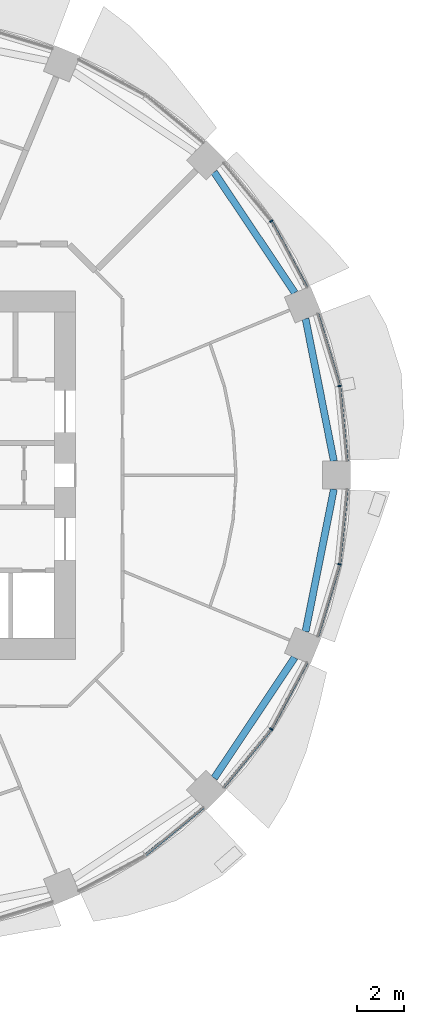
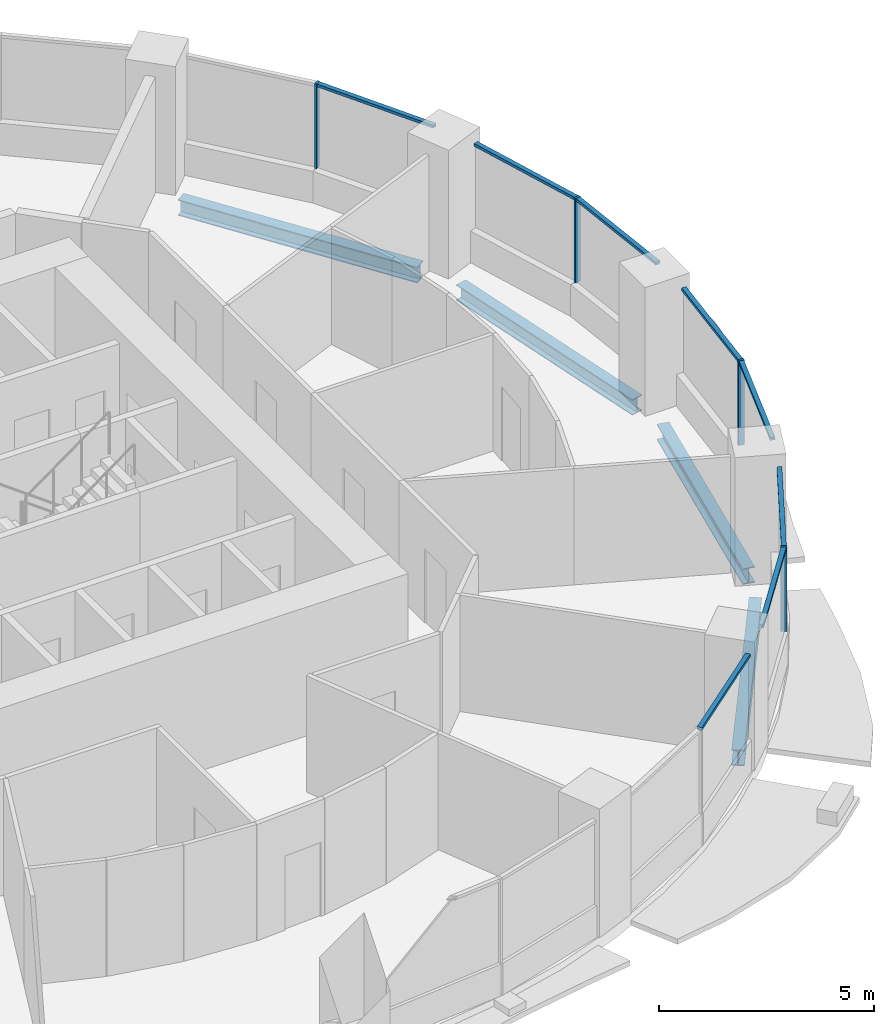
# One storey, part 5 of 15: 12 members, 4 beams, 5 elements without a shape of their own.
"""IFC4 building model written with IfcOpenShell, lengths in metres."""

from ifc_helpers import new_model, si_unit, direction, frame, origin, origin_2d, place, context, subcontext, project, spatial, rectangle, i_section, extrude, material, material_profile, profile_set, type_object, element, aggregate, save


model = new_model("IFC4")

# Units and contexts
model_context = context("Model", 3, precision=1e-05, world=origin(), true_north=direction((0.0, 1.0)))
body_context = subcontext(model_context, "Body", "Model", "MODEL_VIEW")
ifc_project = project(units=[si_unit("LENGTHUNIT", "METRE"), si_unit("AREAUNIT", "SQUARE_METRE"), si_unit("VOLUMEUNIT", "CUBIC_METRE"), si_unit("PLANEANGLEUNIT", "RADIAN"), si_unit("MASSUNIT", "GRAM", prefix="KILO")], contexts=[model_context])

# Site, building, storey
site_placement = place(None, origin())
site = spatial("IfcSite", under=ifc_project, at=site_placement, CompositionType="ELEMENT")
building_placement = place(site_placement, origin())
building = spatial("IfcBuilding", under=site, at=building_placement, Name="Polderwave Tower", CompositionType="ELEMENT")
storey_placement = place(building_placement, frame((0.0, 0.0, 55.39990234375)))
storey = spatial("IfcBuildingStorey", under=building, at=storey_placement, Name="L14", CompositionType="ELEMENT", Elevation=55.39990234375)

# Curtain wall, member
ifc_material_1 = material(Name="Aluminium 6063-T6 and glass", Category="aluminium")
curtain_wall_type = type_object("IfcCurtainWallType", Name="Growing floor ribbon glazing wall", PredefinedType="NOTDEFINED", material=ifc_material_1)
curtain_wall_1_placement = place(storey_placement, origin())
curtain_wall_1 = element("IfcCurtainWall", 1, at=curtain_wall_1_placement, inside=storey, type_object=curtain_wall_type, Name="CW2 L14 00", PredefinedType="NOTDEFINED")
ifc_material_2 = material(Name="Aluminium 6063-T6", Category="aluminium")
ifc_material_profile_1 = material_profile(ifc_material_2, rectangle(XDim=0.14990234375, YDim=0.06005859375, at=origin_2d()), Name="AL 60x150")
ifc_profile_set_1 = profile_set([ifc_material_profile_1], Name="Aluminium 6063-T6")
member_type_1 = type_object("IfcMemberType", Name="Growing floor ribbon glazing mullion 60x150", PredefinedType="MULLION", material=ifc_profile_set_1)
member_1_placement = place(storey_placement, frame((19.155029296875, 3.81005859375, 0.900146484375), z_axis=(0.0, 0.0, 1.0), x_axis=(-0.980773701784, -0.195148522643, 0.0)))
member_1 = element("IfcMember", 2, at=member_1_placement, type_object=member_type_1, Name="CW2 mullion 1", PredefinedType="MULLION", context=body_context, shape_type="SweptSolid", body=[
    extrude(rectangle(XDim=0.14990234375, YDim=0.06005859375, at=origin_2d()), origin(), (0.0, 0.0, 1.0), 2.39990234375),
])

curtain_wall_2_placement = place(storey_placement, origin())
curtain_wall_2 = element("IfcCurtainWall", 3, at=curtain_wall_2_placement, inside=storey, type_object=curtain_wall_type, Name="CW2 L14 01", PredefinedType="NOTDEFINED")
member_2_placement = place(storey_placement, frame((16.239013671875, 10.85009765625, 0.900146484375), z_axis=(0.0, 0.0, 1.0), x_axis=(-0.83146573367, -0.555576037759, 0.0)))
member_2 = element("IfcMember", 4, at=member_2_placement, type_object=member_type_1, Name="CW2 mullion 1", PredefinedType="MULLION", context=body_context, shape_type="SweptSolid", body=[
    extrude(rectangle(XDim=0.14990234375, YDim=0.06005859375, at=origin_2d()), origin(), (0.0, 0.0, 1.0), 2.39990234375),
])

curtain_wall_3_placement = place(storey_placement, origin())
curtain_wall_3 = element("IfcCurtainWall", 5, at=curtain_wall_3_placement, inside=storey, type_object=curtain_wall_type, Name="CW2 L14 14", PredefinedType="NOTDEFINED")
member_3_placement = place(storey_placement, frame((16.239013671875, -10.85009765625, 0.900146484375), z_axis=(0.0, 0.0, 1.0), x_axis=(-0.83146573367, 0.555576037759, 0.0)))
member_3 = element("IfcMember", 6, at=member_3_placement, type_object=member_type_1, Name="CW2 mullion 1", PredefinedType="MULLION", context=body_context, shape_type="SweptSolid", body=[
    extrude(rectangle(XDim=0.14990234375, YDim=0.06005859375, at=origin_2d()), origin(), (0.0, 0.0, 1.0), 2.39990234375),
])

curtain_wall_4_placement = place(storey_placement, origin())
curtain_wall_4 = element("IfcCurtainWall", 7, at=curtain_wall_4_placement, inside=storey, type_object=curtain_wall_type, Name="CW2 L14 15", PredefinedType="NOTDEFINED")
member_4_placement = place(storey_placement, frame((19.155029296875, -3.81005859375, 0.900146484375), z_axis=(0.0, 0.0, 1.0), x_axis=(-0.980773701784, 0.195148522643, 0.0)))
member_4 = element("IfcMember", 8, at=member_4_placement, type_object=member_type_1, Name="CW2 mullion 1", PredefinedType="MULLION", context=body_context, shape_type="SweptSolid", body=[
    extrude(rectangle(XDim=0.14990234375, YDim=0.06005859375, at=origin_2d()), origin(), (0.0, 0.0, 1.0), 2.39990234375),
])

# Member
ifc_material_profile_2 = material_profile(ifc_material_2, rectangle(XDim=0.1201171875, YDim=0.080078125, at=origin_2d()), Name="AL 80x120")
ifc_profile_set_2 = profile_set([ifc_material_profile_2], Name="Aluminium 6063-T6")
member_type_2 = type_object("IfcMemberType", Name="Growing floor ribbon glazing transom 80x120", PredefinedType="USERDEFINED", material=ifc_profile_set_2)
member_5_placement = place(storey_placement, frame((19.470947265625, 0.60009765625, 3.260009765625), z_axis=(-0.097952778777, 0.99519106363, 0.0), x_axis=(-0.99519106363, -0.097952778777, 0.0)))
member_5 = element("IfcMember", 9, at=member_5_placement, type_object=member_type_2, Name="CW2 transom 1", ObjectType="TRANSOM", PredefinedType="USERDEFINED", context=body_context, shape_type="SweptSolid", body=[
    extrude(rectangle(XDim=0.1201171875, YDim=0.080078125, at=origin_2d()), origin(), (0.0, 0.0, 1.0), 3.1953125),
])

member_6_placement = place(storey_placement, frame((19.146240234375, 3.838623046875, 3.260009765625), z_axis=(-0.290422902272, 0.95689839473, 0.0), x_axis=(-0.95689839473, -0.290422902272, 0.0)))
member_6 = element("IfcMember", 10, at=member_6_placement, type_object=member_type_2, Name="CW2 transom 2", ObjectType="TRANSOM", PredefinedType="USERDEFINED", context=body_context, shape_type="SweptSolid", body=[
    extrude(rectangle(XDim=0.1201171875, YDim=0.080078125, at=origin_2d()), origin(), (0.0, 0.0, 1.0), 3.196044921875),
])

aggregate(curtain_wall_1, [member_1, member_5, member_6])

member_7_placement = place(storey_placement, frame((17.759033203125, 8.006103515625, 3.260009765625), z_axis=(-0.471381370673, 0.881929477556, 0.0), x_axis=(-0.881929477556, -0.471381370673, 0.0)))
member_7 = element("IfcMember", 11, at=member_7_placement, type_object=member_type_2, Name="CW2 transom 1", ObjectType="TRANSOM", PredefinedType="USERDEFINED", context=body_context, shape_type="SweptSolid", body=[
    extrude(rectangle(XDim=0.1201171875, YDim=0.080078125, at=origin_2d()), origin(), (0.0, 0.0, 1.0), 3.194580078125),
])

aggregate(curtain_wall_2, [member_2, member_7])

# Curtain wall, member
curtain_wall_5_placement = place(storey_placement, origin())
curtain_wall_5 = element("IfcCurtainWall", 12, at=curtain_wall_5_placement, inside=storey, type_object=curtain_wall_type, Name="CW2 L14 13", PredefinedType="NOTDEFINED")
member_8_placement = place(storey_placement, frame((10.873291015625, -16.219970703125, 3.260009765625), z_axis=(0.772945627941, 0.63447226594, 0.0), x_axis=(-0.63447226594, 0.772945627941, 0.0)))
member_8 = element("IfcMember", 13, at=member_8_placement, type_object=member_type_2, Name="CW2 transom 2", ObjectType="TRANSOM", PredefinedType="USERDEFINED", context=body_context, shape_type="SweptSolid", body=[
    extrude(rectangle(XDim=0.1201171875, YDim=0.080078125, at=origin_2d()), origin(), (0.0, 0.0, 1.0), 3.196533203125),
])
aggregate(curtain_wall_5, [member_8])

# Member
member_9_placement = place(storey_placement, frame((14.19189453125, -13.343994140625, 3.260009765625), z_axis=(0.63447226594, 0.772945627941, 0.0), x_axis=(-0.772945627941, 0.63447226594, 0.0)))
member_9 = element("IfcMember", 14, at=member_9_placement, type_object=member_type_2, Name="CW2 transom 1", ObjectType="TRANSOM", PredefinedType="USERDEFINED", context=body_context, shape_type="SweptSolid", body=[
    extrude(rectangle(XDim=0.1201171875, YDim=0.080078125, at=origin_2d()), origin(), (0.0, 0.0, 1.0), 3.196533203125),
])

member_10_placement = place(storey_placement, frame((16.253173828125, -10.823486328125, 3.260009765625), z_axis=(0.471381370673, 0.881929477556, 0.0), x_axis=(-0.881929477556, 0.471381370673, 0.0)))
member_10 = element("IfcMember", 15, at=member_10_placement, type_object=member_type_2, Name="CW2 transom 2", ObjectType="TRANSOM", PredefinedType="USERDEFINED", context=body_context, shape_type="SweptSolid", body=[
    extrude(rectangle(XDim=0.1201171875, YDim=0.080078125, at=origin_2d()), origin(), (0.0, 0.0, 1.0), 3.194580078125),
])

aggregate(curtain_wall_3, [member_3, member_9, member_10])

member_11_placement = place(storey_placement, frame((18.218017578125, -6.89697265625, 3.260009765625), z_axis=(0.290422902272, 0.95689839473, 0.0), x_axis=(-0.95689839473, 0.290422902272, 0.0)))
member_11 = element("IfcMember", 16, at=member_11_placement, type_object=member_type_2, Name="CW2 transom 1", ObjectType="TRANSOM", PredefinedType="USERDEFINED", context=body_context, shape_type="SweptSolid", body=[
    extrude(rectangle(XDim=0.1201171875, YDim=0.080078125, at=origin_2d()), origin(), (0.0, 0.0, 1.0), 3.196044921875),
])

member_12_placement = place(storey_placement, frame((19.157958984375, -3.780029296875, 3.260009765625), z_axis=(0.097952778777, 0.99519106363, 0.0), x_axis=(-0.99519106363, 0.097952778777, 0.0)))
member_12 = element("IfcMember", 17, at=member_12_placement, type_object=member_type_2, Name="CW2 transom 2", ObjectType="TRANSOM", PredefinedType="USERDEFINED", context=body_context, shape_type="SweptSolid", body=[
    extrude(rectangle(XDim=0.1201171875, YDim=0.080078125, at=origin_2d()), origin(), (0.0, 0.0, 1.0), 3.1953125),
])

aggregate(curtain_wall_4, [member_4, member_11, member_12])

# Beams
ifc_material_3 = material(Name="Steel S355", Category="steel")
ifc_material_profile_3 = material_profile(ifc_material_3, i_section(OverallWidth=0.300048828125, OverallDepth=0.449951171875, WebThickness=0.013916015625, FlangeThickness=0.02587890625, at=origin_2d()), Name="HE 450 B")
ifc_profile_set_3 = profile_set([ifc_material_profile_3], Name="Steel S355")
beam_type = type_object("IfcBeamType", Name="RING BEAM HE 450 B", PredefinedType="BEAM", material=ifc_profile_set_3)
beam_1_placement = place(storey_placement, frame((18.91064453125, 0.60009765625, -0.574951171875), z_axis=(-0.195109112701, 0.980781542517, 0.0), x_axis=(-0.980781542517, -0.195109112701, 0.0)))
element("IfcBeam", 18, at=beam_1_placement, inside=storey, type_object=beam_type, Name="ST-RB-L14-00", PredefinedType="BEAM", context=body_context, shape_type="SweptSolid", body=[
    extrude(i_section(OverallWidth=0.300048828125, OverallDepth=0.449951171875, WebThickness=0.013916015625, FlangeThickness=0.02587890625, at=origin_2d()), origin(), (0.0, 0.0, 1.0), 6.201416015625),
])
for number, where, z_axis, x_axis, name in (
    (19, (17.241455078125, 7.791015625, -0.574951171875), (-0.555553875554, 0.831480541779, 0.0), (-0.831480541779, -0.555553875554, 0.0), "ST-RB-L14-01"),
    (20, (13.796142578125, -12.947509765625, -0.574951171875), (0.555553875554, 0.831480541779, 0.0), (-0.831480541779, 0.555553875554, 0.0), "ST-RB-L14-14"),
):
    element("IfcBeam", number, at=place(storey_placement, frame(where, z_axis=z_axis, x_axis=x_axis)), inside=storey, type_object=beam_type, Name=name, PredefinedType="BEAM", context=body_context, shape_type="SweptSolid", body=[
        extrude(i_section(OverallWidth=0.300048828125, OverallDepth=0.449951171875, WebThickness=0.013916015625, FlangeThickness=0.02587890625, at=origin_2d()), origin(), (0.0, 0.0, 1.0), 6.20166015625),
    ])
beam_2_placement = place(storey_placement, frame((17.70068359375, -6.682373046875, -0.574951171875), z_axis=(0.195109112701, 0.980781542517, 0.0), x_axis=(-0.980781542517, 0.195109112701, 0.0)))
element("IfcBeam", 21, at=beam_2_placement, inside=storey, type_object=beam_type, Name="ST-RB-L14-15", PredefinedType="BEAM", context=body_context, shape_type="SweptSolid", body=[
    extrude(i_section(OverallWidth=0.300048828125, OverallDepth=0.449951171875, WebThickness=0.013916015625, FlangeThickness=0.02587890625, at=origin_2d()), origin(), (0.0, 0.0, 1.0), 6.201416015625),
])

save(model, "model.ifc")
